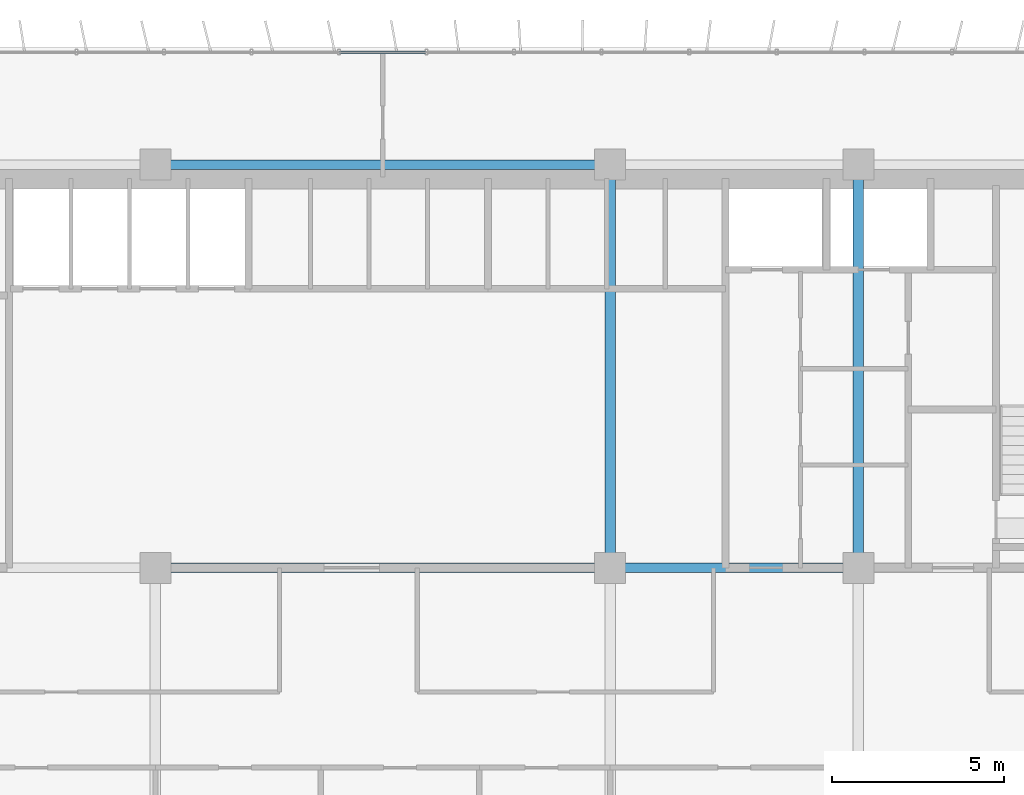
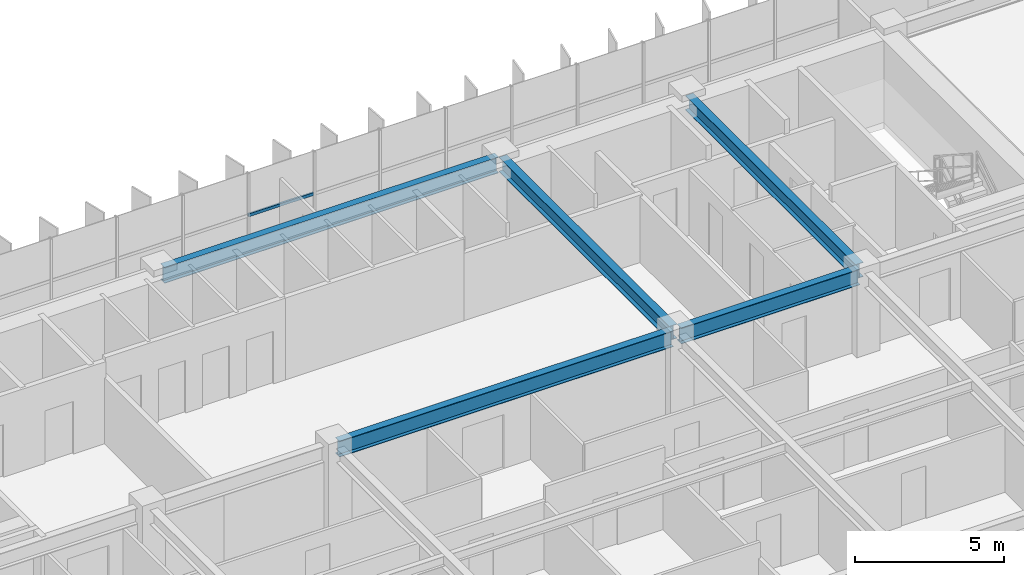
# One storey, part 9 of 22: 5 beams, 1 member, 1 element without a shape of its own.
"""IFC4 building model written with IfcOpenShell, lengths in metres."""

from ifc_helpers import new_model, si_unit, direction, frame, origin, origin_2d, place, context, subcontext, project, spatial, hollow_rectangle, i_section, extrude, source, transform, mapped, material, material_profile, profile_set, type_object, element, aggregate, save


model = new_model("IFC4")

# Units and contexts
model_context = context("Model", 3, precision=1e-05, world=origin(), true_north=direction((0.0, 1.0)))
body_context = subcontext(model_context, "Body", "Model", "MODEL_VIEW")
ifc_project = project(units=[si_unit("LENGTHUNIT", "METRE"), si_unit("AREAUNIT", "SQUARE_METRE"), si_unit("VOLUMEUNIT", "CUBIC_METRE"), si_unit("PLANEANGLEUNIT", "RADIAN"), si_unit("MASSUNIT", "GRAM", prefix="KILO")], contexts=[model_context])

# Site, building, storey
site_placement = place(None, origin())
site = spatial("IfcSite", under=ifc_project, at=site_placement, CompositionType="ELEMENT")
building_placement = place(site_placement, origin())
building = spatial("IfcBuilding", under=site, at=building_placement, Name="Trelvane Seafront Commons", CompositionType="ELEMENT")
storey_placement = place(building_placement, frame((0.0, 0.0, 59.5)))
storey = spatial("IfcBuildingStorey", under=building, at=storey_placement, Name="L15", CompositionType="ELEMENT", Elevation=59.5)

# Beams
ifc_material_1 = material(Name="Steel SM355 (S355)", Category="steel")
ifc_material_profile_1 = material_profile(ifc_material_1, i_section(OverallWidth=0.280029296875, OverallDepth=0.64990234375, WebThickness=0.012939453125, FlangeThickness=0.02197265625, at=origin_2d()), Name="H-650x280x13x22")
ifc_profile_set_1 = profile_set([ifc_material_profile_1], Name="Steel SM355 (S355)")
beam_type_1 = type_object("IfcBeamType", Name="STR-BM-H650", PredefinedType="BEAM", material=ifc_profile_set_1)
shared_shape_1 = source(origin(), body_context, "Body", "SweptSolid", [
    extrude(i_section(OverallWidth=0.280029296875, OverallDepth=0.64990234375, WebThickness=0.012939453125, FlangeThickness=0.02197265625, at=origin_2d()), origin(), (0.0, 0.0, 1.0), 12.89990234375),
])
for number, where, z_axis, x_axis, name in (
    (1, (30.75, 33.39990234375, 3.014892578125), (1.0, 0.0, 0.0), (0.0, 1.0, 0.0), "L15 Primary Girder G-23"),
    (2, (30.75, 45.10009765625, 3.014892578125), (1.0, 0.0, 0.0), (0.0, 1.0, 0.0), "L15 Primary Girder G-32"),
):
    element("IfcBeam", number, at=place(storey_placement, frame(where, z_axis=z_axis, x_axis=x_axis)), inside=storey, type_object=beam_type_1, Name=name, PredefinedType="BEAM", context=body_context, shape_type="MappedRepresentation", body=[
        mapped(shared_shape_1, transform((0.0, 0.0, 0.0), x_axis=(1.0, 0.0, 0.0), y_axis=(0.0, 1.0, 0.0), z_axis=(0.0, 0.0, 1.0), scale=1.0)),
    ])
shared_shape_2 = source(origin(), body_context, "Body", "SweptSolid", [
    extrude(i_section(OverallWidth=0.280029296875, OverallDepth=0.64990234375, WebThickness=0.012939453125, FlangeThickness=0.02197265625, at=origin_2d()), origin(), (0.0, 0.0, 1.0), 6.900146484375),
])
beam_placement = place(storey_placement, frame((43.949951171875, 33.39990234375, 3.014892578125), z_axis=(1.0, 0.0, 0.0), x_axis=(0.0, 1.0, 0.0)))
element("IfcBeam", 3, at=beam_placement, inside=storey, type_object=beam_type_1, Name="L15 Primary Girder G-24", PredefinedType="BEAM", context=body_context, shape_type="MappedRepresentation", body=[
    mapped(shared_shape_2, transform((0.0, 0.0, 0.0), x_axis=(1.0, 0.0, 0.0), y_axis=(0.0, 1.0, 0.0), z_axis=(0.0, 0.0, 1.0), scale=1.0)),
])
ifc_material_profile_2 = material_profile(ifc_material_1, i_section(OverallWidth=0.300048828125, OverallDepth=0.587890625, WebThickness=0.011962890625, FlangeThickness=0.02001953125, at=origin_2d()), Name="H-588x300x12x20")
ifc_profile_set_2 = profile_set([ifc_material_profile_2], Name="Steel SM355 (S355)")
beam_type_2 = type_object("IfcBeamType", Name="STR-BM-H588", PredefinedType="BEAM", material=ifc_profile_set_2)
shared_shape_3 = source(origin(), body_context, "Body", "SweptSolid", [
    extrude(i_section(OverallWidth=0.300048828125, OverallDepth=0.587890625, WebThickness=0.011962890625, FlangeThickness=0.02001953125, at=origin_2d()), origin(), (0.0, 0.0, 1.0), 11.39990234375),
])
for number, where, z_axis, x_axis, name in (
    (4, (43.800048828125, 33.550048828125, 3.0458984375), (0.0, 1.0, 0.0), (-1.0, 0.0, 0.0), "L15 Primary Girder G-54"),
    (5, (51.0, 33.550048828125, 3.0458984375), (0.0, 1.0, 0.0), (-1.0, 0.0, 0.0), "L15 Primary Girder G-57"),
):
    element("IfcBeam", number, at=place(storey_placement, frame(where, z_axis=z_axis, x_axis=x_axis)), inside=storey, type_object=beam_type_2, Name=name, PredefinedType="BEAM", context=body_context, shape_type="MappedRepresentation", body=[
        mapped(shared_shape_3, transform((0.0, 0.0, 0.0), x_axis=(1.0, 0.0, 0.0), y_axis=(0.0, 1.0, 0.0), z_axis=(0.0, 0.0, 1.0), scale=1.0)),
    ])

# Curtain wall, member
ifc_material_2 = material(Name="Anodised pale-silver aluminium", Category="aluminium")
curtain_wall_type = type_object("IfcCurtainWallType", Name="ARCH-CW2-LOWTOWER", PredefinedType="NOTDEFINED", material=ifc_material_2)
curtain_wall_placement = place(storey_placement, origin())
curtain_wall = element("IfcCurtainWall", 6, at=curtain_wall_placement, inside=storey, type_object=curtain_wall_type, Name="CW-L15-0039", PredefinedType="NOTDEFINED")
ifc_material_profile_3 = material_profile(ifc_material_2, hollow_rectangle(XDim=0.070068359375, YDim=0.1201171875, WallThickness=0.00390625, at=origin_2d()), Name="TRAN-70x120x4")
ifc_profile_set_3 = profile_set([ifc_material_profile_3], Name="Anodised pale-silver aluminium")
member_type = type_object("IfcMemberType", Name="ARCH-CW-TRAN-120", PredefinedType="USERDEFINED", material=ifc_profile_set_3)
shared_shape_4 = source(origin(), body_context, "Body", "SweptSolid", [
    extrude(hollow_rectangle(XDim=0.070068359375, YDim=0.1201171875, WallThickness=0.00390625, at=origin_2d()), origin(), (0.0, 0.0, 1.0), 2.51708984375),
])
member_placement = place(storey_placement, frame((35.94140625, 48.3701171875, 1.60302734375), z_axis=(1.0, 0.0, 0.0), x_axis=(0.0, 1.0, 0.0)))
member = element("IfcMember", 7, at=member_placement, type_object=member_type, Name="CW-L15-0039-T08", ObjectType="TRANSOM", PredefinedType="USERDEFINED", context=body_context, shape_type="MappedRepresentation", body=[
    mapped(shared_shape_4, transform((0.0, 0.0, 0.0), x_axis=(1.0, 0.0, 0.0), y_axis=(0.0, 1.0, 0.0), z_axis=(0.0, 0.0, 1.0), scale=1.0)),
])
aggregate(curtain_wall, [member])

save(model, "model.ifc")
